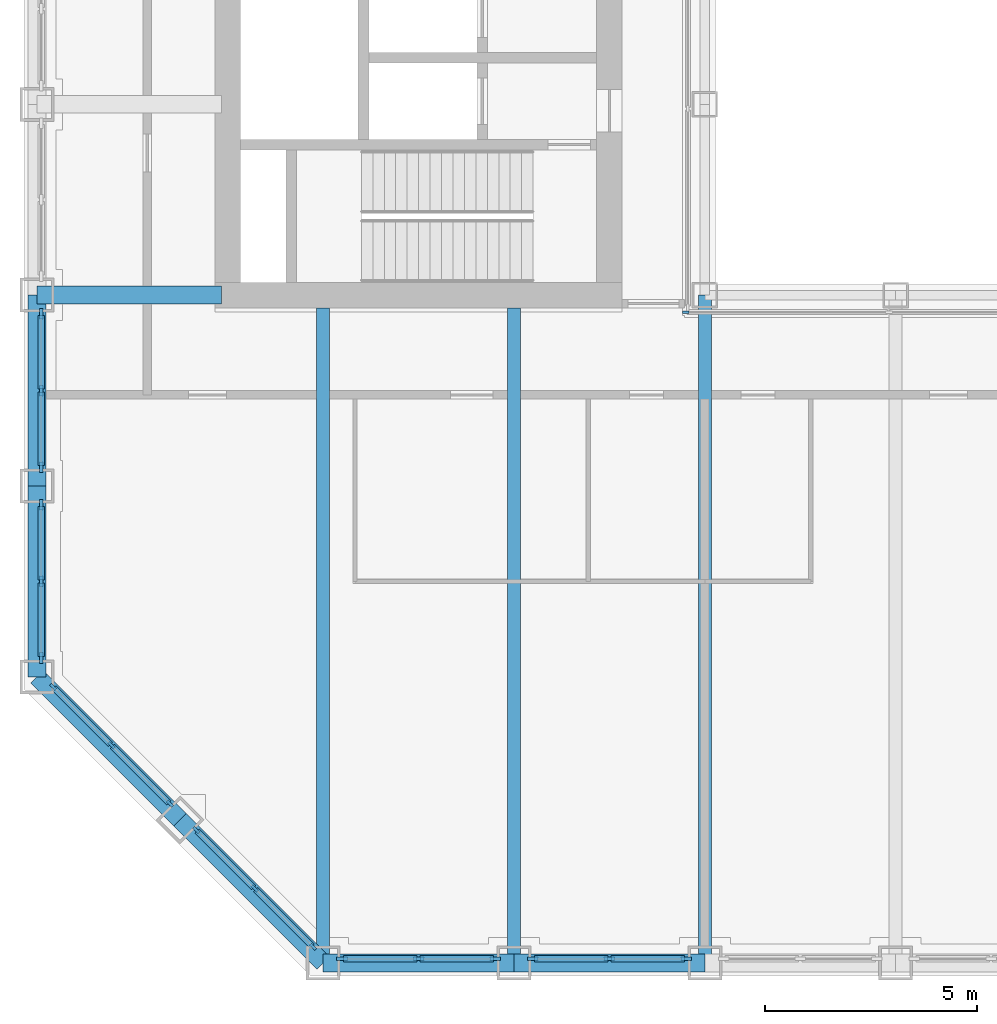
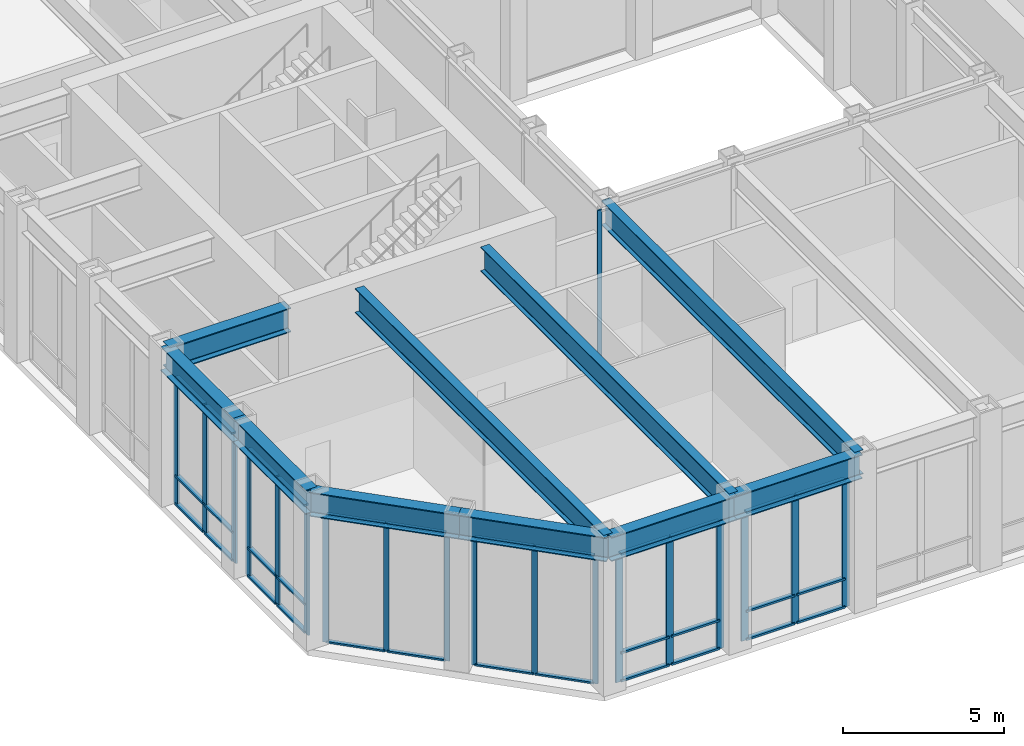
# One storey, part 2 of 22: 51 members, 10 beams, 7 elements without a shape of their own.
"""IFC4 building model written with IfcOpenShell, lengths in metres."""

from ifc_helpers import new_model, si_unit, direction, frame, origin, origin_2d, place, context, subcontext, project, spatial, rectangle, i_section, extrude, material, material_profile, profile_set, type_object, element, aggregate, save


model = new_model("IFC4")

# Units and contexts
model_context = context("Model", 3, precision=1e-05, world=origin(), true_north=direction((0.0, 1.0)))
body_context = subcontext(model_context, "Body", "Model", "MODEL_VIEW")
ifc_project = project(units=[si_unit("LENGTHUNIT", "METRE"), si_unit("AREAUNIT", "SQUARE_METRE"), si_unit("VOLUMEUNIT", "CUBIC_METRE"), si_unit("PLANEANGLEUNIT", "RADIAN"), si_unit("MASSUNIT", "GRAM", prefix="KILO")], contexts=[model_context])

# Site, building, storey
site_placement = place(None, origin())
site = spatial("IfcSite", under=ifc_project, at=site_placement, CompositionType="ELEMENT")
building_placement = place(site_placement, origin())
building = spatial("IfcBuilding", under=site, at=building_placement, Name="Msasa Ring Tower", CompositionType="ELEMENT")
storey_placement = place(building_placement, frame((0.0, 0.0, 112.39990234375)))
storey = spatial("IfcBuildingStorey", under=building, at=storey_placement, Name="L29", CompositionType="ELEMENT", Elevation=112.39990234375)

# Curtain wall, members
ifc_material_1 = material(Name="Aluminium curtain wall with clear glass", Category="aluminium")
curtain_wall_type_1 = type_object("IfcCurtainWallType", Name="CW-C CHAMFER CORNER CURTAIN WALL", PredefinedType="NOTDEFINED", material=ifc_material_1)
curtain_wall_1_placement = place(storey_placement, origin())
curtain_wall_1 = element("IfcCurtainWall", 1, at=curtain_wall_1_placement, inside=storey, type_object=curtain_wall_type_1, Name="Chamfer corner curtain wall SW L29", PredefinedType="NOTDEFINED")
ifc_material_2 = material(Name="Aluminium mullion", Category="aluminium")
ifc_material_profile_1 = material_profile(ifc_material_2, rectangle(XDim=0.06494140625, YDim=0.179931640625, at=origin_2d()), Name="AL 65x180")
ifc_profile_set_1 = profile_set([ifc_material_profile_1], Name="Aluminium mullion")
member_type_1 = type_object("IfcMemberType", Name="CW-C MULLION 65x180", PredefinedType="MULLION", material=ifc_profile_set_1)
member_1_placement = place(storey_placement, frame((-22.119873046875, -15.98876953125, 0.0), z_axis=(0.0, 0.0, 1.0), x_axis=(0.707106781187, 0.707106781187, 0.0)))
member_1 = element("IfcMember", 2, at=member_1_placement, type_object=member_type_1, Name="CW-C mullion 1", PredefinedType="MULLION", context=body_context, shape_type="SweptSolid", body=[
    extrude(rectangle(XDim=0.06494140625, YDim=0.179931640625, at=origin_2d()), origin(), (0.0, 0.0, 1.0), 4.879150390625),
])
member_2_placement = place(storey_placement, frame((-20.74169921875, -17.36669921875, 0.0), z_axis=(0.0, 0.0, 1.0), x_axis=(0.707106781187, 0.707106781187, 0.0)))
member_2 = element("IfcMember", 3, at=member_2_placement, type_object=member_type_1, Name="CW-C mullion 2", PredefinedType="MULLION", context=body_context, shape_type="SweptSolid", body=[
    extrude(rectangle(XDim=0.06494140625, YDim=0.179931640625, at=origin_2d()), origin(), (0.0, 0.0, 1.0), 4.879150390625),
])
member_3_placement = place(storey_placement, frame((-19.36376953125, -18.744873046875, 0.0), z_axis=(0.0, 0.0, 1.0), x_axis=(0.707106781187, 0.707106781187, 0.0)))
member_3 = element("IfcMember", 4, at=member_3_placement, type_object=member_type_1, Name="CW-C mullion 3", PredefinedType="MULLION", context=body_context, shape_type="SweptSolid", body=[
    extrude(rectangle(XDim=0.06494140625, YDim=0.179931640625, at=origin_2d()), origin(), (0.0, 0.0, 1.0), 4.879150390625),
])

curtain_wall_2_placement = place(storey_placement, origin())
curtain_wall_2 = element("IfcCurtainWall", 5, at=curtain_wall_2_placement, inside=storey, type_object=curtain_wall_type_1, Name="Chamfer corner curtain wall SW L29", PredefinedType="NOTDEFINED")
member_4_placement = place(storey_placement, frame((-18.744873046875, -19.36376953125, 0.0), z_axis=(0.0, 0.0, 1.0), x_axis=(0.707106781187, 0.707106781187, 0.0)))
member_4 = element("IfcMember", 6, at=member_4_placement, type_object=member_type_1, Name="CW-C mullion 1", PredefinedType="MULLION", context=body_context, shape_type="SweptSolid", body=[
    extrude(rectangle(XDim=0.06494140625, YDim=0.179931640625, at=origin_2d()), origin(), (0.0, 0.0, 1.0), 4.879150390625),
])
member_5_placement = place(storey_placement, frame((-17.36669921875, -20.74169921875, 0.0), z_axis=(0.0, 0.0, 1.0), x_axis=(0.707106781187, 0.707106781187, 0.0)))
member_5 = element("IfcMember", 7, at=member_5_placement, type_object=member_type_1, Name="CW-C mullion 2", PredefinedType="MULLION", context=body_context, shape_type="SweptSolid", body=[
    extrude(rectangle(XDim=0.06494140625, YDim=0.179931640625, at=origin_2d()), origin(), (0.0, 0.0, 1.0), 4.879150390625),
])
member_6_placement = place(storey_placement, frame((-15.98876953125, -22.119873046875, 0.0), z_axis=(0.0, 0.0, 1.0), x_axis=(0.707106781187, 0.707106781187, 0.0)))
member_6 = element("IfcMember", 8, at=member_6_placement, type_object=member_type_1, Name="CW-C mullion 3", PredefinedType="MULLION", context=body_context, shape_type="SweptSolid", body=[
    extrude(rectangle(XDim=0.06494140625, YDim=0.179931640625, at=origin_2d()), origin(), (0.0, 0.0, 1.0), 4.879150390625),
])

# Member
ifc_material_3 = material(Name="Aluminium transom", Category="aluminium")
ifc_material_profile_2 = material_profile(ifc_material_3, rectangle(XDim=0.139892578125, YDim=0.06494140625, at=origin_2d()), Name="AL 65x140")
ifc_profile_set_2 = profile_set([ifc_material_profile_2], Name="Aluminium transom")
member_type_2 = type_object("IfcMemberType", Name="CW-C TRANSOM 65x140", PredefinedType="USERDEFINED", material=ifc_profile_set_2)
member_7_placement = place(storey_placement, frame((-22.096923828125, -16.01171875, 0.03271484375), z_axis=(0.707106781187, -0.707106781187, 0.0), x_axis=(0.707106781187, 0.707106781187, 0.0)))
member_7 = element("IfcMember", 9, at=member_7_placement, type_object=member_type_2, Name="CW-C transom 1.1", ObjectType="TRANSOM", PredefinedType="USERDEFINED", context=body_context, shape_type="SweptSolid", body=[
    extrude(rectangle(XDim=0.139892578125, YDim=0.06494140625, at=origin_2d()), origin(), (0.0, 0.0, 1.0), 1.8837890625),
])

member_8_placement = place(storey_placement, frame((-22.096923828125, -16.01171875, 4.8466796875), z_axis=(0.707106781187, -0.707106781187, 0.0), x_axis=(0.707106781187, 0.707106781187, 0.0)))
member_8 = element("IfcMember", 10, at=member_8_placement, type_object=member_type_2, Name="CW-C transom 1.2", ObjectType="TRANSOM", PredefinedType="USERDEFINED", context=body_context, shape_type="SweptSolid", body=[
    extrude(rectangle(XDim=0.139892578125, YDim=0.06494140625, at=origin_2d()), origin(), (0.0, 0.0, 1.0), 1.8837890625),
])

member_9_placement = place(storey_placement, frame((-20.71875, -17.389892578125, 0.03271484375), z_axis=(0.707106781187, -0.707106781187, 0.0), x_axis=(0.707106781187, 0.707106781187, 0.0)))
member_9 = element("IfcMember", 11, at=member_9_placement, type_object=member_type_2, Name="CW-C transom 2.1", ObjectType="TRANSOM", PredefinedType="USERDEFINED", context=body_context, shape_type="SweptSolid", body=[
    extrude(rectangle(XDim=0.139892578125, YDim=0.06494140625, at=origin_2d()), origin(), (0.0, 0.0, 1.0), 1.8837890625),
])

member_10_placement = place(storey_placement, frame((-20.71875, -17.389892578125, 4.8466796875), z_axis=(0.707106781187, -0.707106781187, 0.0), x_axis=(0.707106781187, 0.707106781187, 0.0)))
member_10 = element("IfcMember", 12, at=member_10_placement, type_object=member_type_2, Name="CW-C transom 2.2", ObjectType="TRANSOM", PredefinedType="USERDEFINED", context=body_context, shape_type="SweptSolid", body=[
    extrude(rectangle(XDim=0.139892578125, YDim=0.06494140625, at=origin_2d()), origin(), (0.0, 0.0, 1.0), 1.8837890625),
])

aggregate(curtain_wall_1, [member_1, member_2, member_3, member_7, member_8, member_9, member_10])

member_11_placement = place(storey_placement, frame((-18.721923828125, -19.38671875, 0.03271484375), z_axis=(0.707106781187, -0.707106781187, 0.0), x_axis=(0.707106781187, 0.707106781187, 0.0)))
member_11 = element("IfcMember", 13, at=member_11_placement, type_object=member_type_2, Name="CW-C transom 1.1", ObjectType="TRANSOM", PredefinedType="USERDEFINED", context=body_context, shape_type="SweptSolid", body=[
    extrude(rectangle(XDim=0.139892578125, YDim=0.06494140625, at=origin_2d()), origin(), (0.0, 0.0, 1.0), 1.8837890625),
])

member_12_placement = place(storey_placement, frame((-18.721923828125, -19.38671875, 4.8466796875), z_axis=(0.707106781187, -0.707106781187, 0.0), x_axis=(0.707106781187, 0.707106781187, 0.0)))
member_12 = element("IfcMember", 14, at=member_12_placement, type_object=member_type_2, Name="CW-C transom 1.2", ObjectType="TRANSOM", PredefinedType="USERDEFINED", context=body_context, shape_type="SweptSolid", body=[
    extrude(rectangle(XDim=0.139892578125, YDim=0.06494140625, at=origin_2d()), origin(), (0.0, 0.0, 1.0), 1.8837890625),
])

member_13_placement = place(storey_placement, frame((-17.34375, -20.764892578125, 0.03271484375), z_axis=(0.707106781187, -0.707106781187, 0.0), x_axis=(0.707106781187, 0.707106781187, 0.0)))
member_13 = element("IfcMember", 15, at=member_13_placement, type_object=member_type_2, Name="CW-C transom 2.1", ObjectType="TRANSOM", PredefinedType="USERDEFINED", context=body_context, shape_type="SweptSolid", body=[
    extrude(rectangle(XDim=0.139892578125, YDim=0.06494140625, at=origin_2d()), origin(), (0.0, 0.0, 1.0), 1.8837890625),
])

member_14_placement = place(storey_placement, frame((-17.34375, -20.764892578125, 4.8466796875), z_axis=(0.707106781187, -0.707106781187, 0.0), x_axis=(0.707106781187, 0.707106781187, 0.0)))
member_14 = element("IfcMember", 16, at=member_14_placement, type_object=member_type_2, Name="CW-C transom 2.2", ObjectType="TRANSOM", PredefinedType="USERDEFINED", context=body_context, shape_type="SweptSolid", body=[
    extrude(rectangle(XDim=0.139892578125, YDim=0.06494140625, at=origin_2d()), origin(), (0.0, 0.0, 1.0), 1.8837890625),
])

aggregate(curtain_wall_2, [member_4, member_5, member_6, member_11, member_12, member_13, member_14])

# Curtain wall, members
ifc_material_4 = material(Name="Aluminium curtain wall with clear glass", Category="aluminium")
curtain_wall_type_2 = type_object("IfcCurtainWallType", Name="CW-S SKY LOBBY CURTAIN WALL", PredefinedType="NOTDEFINED", material=ifc_material_4)
curtain_wall_3_placement = place(storey_placement, origin())
curtain_wall_3 = element("IfcCurtainWall", 17, at=curtain_wall_3_placement, inside=storey, type_object=curtain_wall_type_2, Name="Sky lobby curtain wall S L29", PredefinedType="NOTDEFINED")
ifc_material_5 = material(Name="Aluminium mullion", Category="aluminium")
ifc_material_profile_3 = material_profile(ifc_material_5, rectangle(XDim=0.074951171875, YDim=0.25, at=origin_2d()), Name="AL 75x250")
ifc_profile_set_3 = profile_set([ifc_material_profile_3], Name="Aluminium mullion")
member_type_3 = type_object("IfcMemberType", Name="CW-S MULLION 75x250", PredefinedType="MULLION", material=ifc_profile_set_3)
member_15_placement = place(storey_placement, frame((-15.3076171875, -22.39990234375, 0.0), z_axis=(0.0, 0.0, 1.0), x_axis=(0.0, 1.0, 0.0)))
member_15 = element("IfcMember", 18, at=member_15_placement, type_object=member_type_3, Name="CW-S mullion 1", PredefinedType="MULLION", context=body_context, shape_type="SweptSolid", body=[
    extrude(rectangle(XDim=0.074951171875, YDim=0.25, at=origin_2d()), origin(), (0.0, 0.0, 1.0), 4.879150390625),
])
member_16_placement = place(storey_placement, frame((-13.5, -22.39990234375, 0.0), z_axis=(0.0, 0.0, 1.0), x_axis=(0.0, 1.0, 0.0)))
member_16 = element("IfcMember", 19, at=member_16_placement, type_object=member_type_3, Name="CW-S mullion 2", PredefinedType="MULLION", context=body_context, shape_type="SweptSolid", body=[
    extrude(rectangle(XDim=0.074951171875, YDim=0.25, at=origin_2d()), origin(), (0.0, 0.0, 1.0), 4.879150390625),
])
member_17_placement = place(storey_placement, frame((-11.6923828125, -22.39990234375, 0.0), z_axis=(0.0, 0.0, 1.0), x_axis=(0.0, 1.0, 0.0)))
member_17 = element("IfcMember", 20, at=member_17_placement, type_object=member_type_3, Name="CW-S mullion 3", PredefinedType="MULLION", context=body_context, shape_type="SweptSolid", body=[
    extrude(rectangle(XDim=0.074951171875, YDim=0.25, at=origin_2d()), origin(), (0.0, 0.0, 1.0), 4.879150390625),
])

curtain_wall_4_placement = place(storey_placement, origin())
curtain_wall_4 = element("IfcCurtainWall", 21, at=curtain_wall_4_placement, inside=storey, type_object=curtain_wall_type_2, Name="Sky lobby curtain wall S L29", PredefinedType="NOTDEFINED")
member_18_placement = place(storey_placement, frame((-10.8076171875, -22.39990234375, 0.0), z_axis=(0.0, 0.0, 1.0), x_axis=(0.0, 1.0, 0.0)))
member_18 = element("IfcMember", 22, at=member_18_placement, type_object=member_type_3, Name="CW-S mullion 1", PredefinedType="MULLION", context=body_context, shape_type="SweptSolid", body=[
    extrude(rectangle(XDim=0.074951171875, YDim=0.25, at=origin_2d()), origin(), (0.0, 0.0, 1.0), 4.879150390625),
])
member_19_placement = place(storey_placement, frame((-9.0, -22.39990234375, 0.0), z_axis=(0.0, 0.0, 1.0), x_axis=(0.0, 1.0, 0.0)))
member_19 = element("IfcMember", 23, at=member_19_placement, type_object=member_type_3, Name="CW-S mullion 2", PredefinedType="MULLION", context=body_context, shape_type="SweptSolid", body=[
    extrude(rectangle(XDim=0.074951171875, YDim=0.25, at=origin_2d()), origin(), (0.0, 0.0, 1.0), 4.879150390625),
])
member_20_placement = place(storey_placement, frame((-7.1923828125, -22.39990234375, 0.0), z_axis=(0.0, 0.0, 1.0), x_axis=(0.0, 1.0, 0.0)))
member_20 = element("IfcMember", 24, at=member_20_placement, type_object=member_type_3, Name="CW-S mullion 3", PredefinedType="MULLION", context=body_context, shape_type="SweptSolid", body=[
    extrude(rectangle(XDim=0.074951171875, YDim=0.25, at=origin_2d()), origin(), (0.0, 0.0, 1.0), 4.879150390625),
])

curtain_wall_5_placement = place(storey_placement, origin())
curtain_wall_5 = element("IfcCurtainWall", 25, at=curtain_wall_5_placement, inside=storey, type_object=curtain_wall_type_2, Name="Sky lobby curtain wall W L29", PredefinedType="NOTDEFINED")
member_21_placement = place(storey_placement, frame((-22.39990234375, -15.3076171875, 0.0), z_axis=(0.0, 0.0, 1.0), x_axis=(-1.0, 0.0, 0.0)))
member_21 = element("IfcMember", 26, at=member_21_placement, type_object=member_type_3, Name="CW-S mullion 1", PredefinedType="MULLION", context=body_context, shape_type="SweptSolid", body=[
    extrude(rectangle(XDim=0.074951171875, YDim=0.25, at=origin_2d()), origin(), (0.0, 0.0, 1.0), 4.879150390625),
])
member_22_placement = place(storey_placement, frame((-22.39990234375, -13.5, 0.0), z_axis=(0.0, 0.0, 1.0), x_axis=(-1.0, 0.0, 0.0)))
member_22 = element("IfcMember", 27, at=member_22_placement, type_object=member_type_3, Name="CW-S mullion 2", PredefinedType="MULLION", context=body_context, shape_type="SweptSolid", body=[
    extrude(rectangle(XDim=0.074951171875, YDim=0.25, at=origin_2d()), origin(), (0.0, 0.0, 1.0), 4.879150390625),
])
member_23_placement = place(storey_placement, frame((-22.39990234375, -11.6923828125, 0.0), z_axis=(0.0, 0.0, 1.0), x_axis=(-1.0, 0.0, 0.0)))
member_23 = element("IfcMember", 28, at=member_23_placement, type_object=member_type_3, Name="CW-S mullion 3", PredefinedType="MULLION", context=body_context, shape_type="SweptSolid", body=[
    extrude(rectangle(XDim=0.074951171875, YDim=0.25, at=origin_2d()), origin(), (0.0, 0.0, 1.0), 4.879150390625),
])

curtain_wall_6_placement = place(storey_placement, origin())
curtain_wall_6 = element("IfcCurtainWall", 29, at=curtain_wall_6_placement, inside=storey, type_object=curtain_wall_type_2, Name="Sky lobby curtain wall W L29", PredefinedType="NOTDEFINED")
member_24_placement = place(storey_placement, frame((-22.39990234375, -10.8076171875, 0.0), z_axis=(0.0, 0.0, 1.0), x_axis=(-1.0, 0.0, 0.0)))
member_24 = element("IfcMember", 30, at=member_24_placement, type_object=member_type_3, Name="CW-S mullion 1", PredefinedType="MULLION", context=body_context, shape_type="SweptSolid", body=[
    extrude(rectangle(XDim=0.074951171875, YDim=0.25, at=origin_2d()), origin(), (0.0, 0.0, 1.0), 4.879150390625),
])
member_25_placement = place(storey_placement, frame((-22.39990234375, -9.0, 0.0), z_axis=(0.0, 0.0, 1.0), x_axis=(-1.0, 0.0, 0.0)))
member_25 = element("IfcMember", 31, at=member_25_placement, type_object=member_type_3, Name="CW-S mullion 2", PredefinedType="MULLION", context=body_context, shape_type="SweptSolid", body=[
    extrude(rectangle(XDim=0.074951171875, YDim=0.25, at=origin_2d()), origin(), (0.0, 0.0, 1.0), 4.879150390625),
])
member_26_placement = place(storey_placement, frame((-22.39990234375, -7.1923828125, 0.0), z_axis=(0.0, 0.0, 1.0), x_axis=(-1.0, 0.0, 0.0)))
member_26 = element("IfcMember", 32, at=member_26_placement, type_object=member_type_3, Name="CW-S mullion 3", PredefinedType="MULLION", context=body_context, shape_type="SweptSolid", body=[
    extrude(rectangle(XDim=0.074951171875, YDim=0.25, at=origin_2d()), origin(), (0.0, 0.0, 1.0), 4.879150390625),
])

# Member
ifc_material_6 = material(Name="Aluminium transom", Category="aluminium")
ifc_material_profile_4 = material_profile(ifc_material_6, rectangle(XDim=0.159912109375, YDim=0.074951171875, at=origin_2d()), Name="AL 75x160")
ifc_profile_set_4 = profile_set([ifc_material_profile_4], Name="Aluminium transom")
member_type_4 = type_object("IfcMemberType", Name="CW-S TRANSOM 75x160", PredefinedType="USERDEFINED", material=ifc_profile_set_4)
member_27_placement = place(storey_placement, frame((-15.27001953125, -22.39990234375, 0.03759765625), z_axis=(1.0, 0.0, 0.0), x_axis=(0.0, 1.0, 0.0)))
member_27 = element("IfcMember", 33, at=member_27_placement, type_object=member_type_4, Name="CW-S transom 1.1", ObjectType="TRANSOM", PredefinedType="USERDEFINED", context=body_context, shape_type="SweptSolid", body=[
    extrude(rectangle(XDim=0.159912109375, YDim=0.074951171875, at=origin_2d()), origin(), (0.0, 0.0, 1.0), 1.732421875),
])

member_28_placement = place(storey_placement, frame((-15.27001953125, -22.39990234375, 1.10009765625), z_axis=(1.0, 0.0, 0.0), x_axis=(0.0, 1.0, 0.0)))
member_28 = element("IfcMember", 34, at=member_28_placement, type_object=member_type_4, Name="CW-S transom 1.2", ObjectType="TRANSOM", PredefinedType="USERDEFINED", context=body_context, shape_type="SweptSolid", body=[
    extrude(rectangle(XDim=0.159912109375, YDim=0.074951171875, at=origin_2d()), origin(), (0.0, 0.0, 1.0), 1.732421875),
])

member_29_placement = place(storey_placement, frame((-15.27001953125, -22.39990234375, 4.841552734375), z_axis=(1.0, 0.0, 0.0), x_axis=(0.0, 1.0, 0.0)))
member_29 = element("IfcMember", 35, at=member_29_placement, type_object=member_type_4, Name="CW-S transom 1.3", ObjectType="TRANSOM", PredefinedType="USERDEFINED", context=body_context, shape_type="SweptSolid", body=[
    extrude(rectangle(XDim=0.159912109375, YDim=0.074951171875, at=origin_2d()), origin(), (0.0, 0.0, 1.0), 1.732421875),
])

member_30_placement = place(storey_placement, frame((-13.46240234375, -22.39990234375, 0.03759765625), z_axis=(1.0, 0.0, 0.0), x_axis=(0.0, 1.0, 0.0)))
member_30 = element("IfcMember", 36, at=member_30_placement, type_object=member_type_4, Name="CW-S transom 2.1", ObjectType="TRANSOM", PredefinedType="USERDEFINED", context=body_context, shape_type="SweptSolid", body=[
    extrude(rectangle(XDim=0.159912109375, YDim=0.074951171875, at=origin_2d()), origin(), (0.0, 0.0, 1.0), 1.732421875),
])

member_31_placement = place(storey_placement, frame((-13.46240234375, -22.39990234375, 1.10009765625), z_axis=(1.0, 0.0, 0.0), x_axis=(0.0, 1.0, 0.0)))
member_31 = element("IfcMember", 37, at=member_31_placement, type_object=member_type_4, Name="CW-S transom 2.2", ObjectType="TRANSOM", PredefinedType="USERDEFINED", context=body_context, shape_type="SweptSolid", body=[
    extrude(rectangle(XDim=0.159912109375, YDim=0.074951171875, at=origin_2d()), origin(), (0.0, 0.0, 1.0), 1.732421875),
])

member_32_placement = place(storey_placement, frame((-13.46240234375, -22.39990234375, 4.841552734375), z_axis=(1.0, 0.0, 0.0), x_axis=(0.0, 1.0, 0.0)))
member_32 = element("IfcMember", 38, at=member_32_placement, type_object=member_type_4, Name="CW-S transom 2.3", ObjectType="TRANSOM", PredefinedType="USERDEFINED", context=body_context, shape_type="SweptSolid", body=[
    extrude(rectangle(XDim=0.159912109375, YDim=0.074951171875, at=origin_2d()), origin(), (0.0, 0.0, 1.0), 1.732421875),
])

aggregate(curtain_wall_3, [member_15, member_16, member_17, member_27, member_28, member_29, member_30, member_31, member_32])

member_33_placement = place(storey_placement, frame((-10.77001953125, -22.39990234375, 0.03759765625), z_axis=(1.0, 0.0, 0.0), x_axis=(0.0, 1.0, 0.0)))
member_33 = element("IfcMember", 39, at=member_33_placement, type_object=member_type_4, Name="CW-S transom 1.1", ObjectType="TRANSOM", PredefinedType="USERDEFINED", context=body_context, shape_type="SweptSolid", body=[
    extrude(rectangle(XDim=0.159912109375, YDim=0.074951171875, at=origin_2d()), origin(), (0.0, 0.0, 1.0), 1.732421875),
])

member_34_placement = place(storey_placement, frame((-10.77001953125, -22.39990234375, 1.10009765625), z_axis=(1.0, 0.0, 0.0), x_axis=(0.0, 1.0, 0.0)))
member_34 = element("IfcMember", 40, at=member_34_placement, type_object=member_type_4, Name="CW-S transom 1.2", ObjectType="TRANSOM", PredefinedType="USERDEFINED", context=body_context, shape_type="SweptSolid", body=[
    extrude(rectangle(XDim=0.159912109375, YDim=0.074951171875, at=origin_2d()), origin(), (0.0, 0.0, 1.0), 1.732421875),
])

member_35_placement = place(storey_placement, frame((-10.77001953125, -22.39990234375, 4.841552734375), z_axis=(1.0, 0.0, 0.0), x_axis=(0.0, 1.0, 0.0)))
member_35 = element("IfcMember", 41, at=member_35_placement, type_object=member_type_4, Name="CW-S transom 1.3", ObjectType="TRANSOM", PredefinedType="USERDEFINED", context=body_context, shape_type="SweptSolid", body=[
    extrude(rectangle(XDim=0.159912109375, YDim=0.074951171875, at=origin_2d()), origin(), (0.0, 0.0, 1.0), 1.732421875),
])

member_36_placement = place(storey_placement, frame((-8.96240234375, -22.39990234375, 0.03759765625), z_axis=(1.0, 0.0, 0.0), x_axis=(0.0, 1.0, 0.0)))
member_36 = element("IfcMember", 42, at=member_36_placement, type_object=member_type_4, Name="CW-S transom 2.1", ObjectType="TRANSOM", PredefinedType="USERDEFINED", context=body_context, shape_type="SweptSolid", body=[
    extrude(rectangle(XDim=0.159912109375, YDim=0.074951171875, at=origin_2d()), origin(), (0.0, 0.0, 1.0), 1.732421875),
])

member_37_placement = place(storey_placement, frame((-8.96240234375, -22.39990234375, 1.10009765625), z_axis=(1.0, 0.0, 0.0), x_axis=(0.0, 1.0, 0.0)))
member_37 = element("IfcMember", 43, at=member_37_placement, type_object=member_type_4, Name="CW-S transom 2.2", ObjectType="TRANSOM", PredefinedType="USERDEFINED", context=body_context, shape_type="SweptSolid", body=[
    extrude(rectangle(XDim=0.159912109375, YDim=0.074951171875, at=origin_2d()), origin(), (0.0, 0.0, 1.0), 1.732421875),
])

member_38_placement = place(storey_placement, frame((-8.96240234375, -22.39990234375, 4.841552734375), z_axis=(1.0, 0.0, 0.0), x_axis=(0.0, 1.0, 0.0)))
member_38 = element("IfcMember", 44, at=member_38_placement, type_object=member_type_4, Name="CW-S transom 2.3", ObjectType="TRANSOM", PredefinedType="USERDEFINED", context=body_context, shape_type="SweptSolid", body=[
    extrude(rectangle(XDim=0.159912109375, YDim=0.074951171875, at=origin_2d()), origin(), (0.0, 0.0, 1.0), 1.732421875),
])

aggregate(curtain_wall_4, [member_18, member_19, member_20, member_33, member_34, member_35, member_36, member_37, member_38])

member_39_placement = place(storey_placement, frame((-22.39990234375, -15.27001953125, 0.03759765625), z_axis=(0.0, 1.0, 0.0), x_axis=(-1.0, 0.0, 0.0)))
member_39 = element("IfcMember", 45, at=member_39_placement, type_object=member_type_4, Name="CW-S transom 1.1", ObjectType="TRANSOM", PredefinedType="USERDEFINED", context=body_context, shape_type="SweptSolid", body=[
    extrude(rectangle(XDim=0.159912109375, YDim=0.074951171875, at=origin_2d()), origin(), (0.0, 0.0, 1.0), 1.732421875),
])

member_40_placement = place(storey_placement, frame((-22.39990234375, -15.27001953125, 1.10009765625), z_axis=(0.0, 1.0, 0.0), x_axis=(-1.0, 0.0, 0.0)))
member_40 = element("IfcMember", 46, at=member_40_placement, type_object=member_type_4, Name="CW-S transom 1.2", ObjectType="TRANSOM", PredefinedType="USERDEFINED", context=body_context, shape_type="SweptSolid", body=[
    extrude(rectangle(XDim=0.159912109375, YDim=0.074951171875, at=origin_2d()), origin(), (0.0, 0.0, 1.0), 1.732421875),
])

member_41_placement = place(storey_placement, frame((-22.39990234375, -15.27001953125, 4.841552734375), z_axis=(0.0, 1.0, 0.0), x_axis=(-1.0, 0.0, 0.0)))
member_41 = element("IfcMember", 47, at=member_41_placement, type_object=member_type_4, Name="CW-S transom 1.3", ObjectType="TRANSOM", PredefinedType="USERDEFINED", context=body_context, shape_type="SweptSolid", body=[
    extrude(rectangle(XDim=0.159912109375, YDim=0.074951171875, at=origin_2d()), origin(), (0.0, 0.0, 1.0), 1.732421875),
])

member_42_placement = place(storey_placement, frame((-22.39990234375, -13.46240234375, 0.03759765625), z_axis=(0.0, 1.0, 0.0), x_axis=(-1.0, 0.0, 0.0)))
member_42 = element("IfcMember", 48, at=member_42_placement, type_object=member_type_4, Name="CW-S transom 2.1", ObjectType="TRANSOM", PredefinedType="USERDEFINED", context=body_context, shape_type="SweptSolid", body=[
    extrude(rectangle(XDim=0.159912109375, YDim=0.074951171875, at=origin_2d()), origin(), (0.0, 0.0, 1.0), 1.732421875),
])

member_43_placement = place(storey_placement, frame((-22.39990234375, -13.46240234375, 1.10009765625), z_axis=(0.0, 1.0, 0.0), x_axis=(-1.0, 0.0, 0.0)))
member_43 = element("IfcMember", 49, at=member_43_placement, type_object=member_type_4, Name="CW-S transom 2.2", ObjectType="TRANSOM", PredefinedType="USERDEFINED", context=body_context, shape_type="SweptSolid", body=[
    extrude(rectangle(XDim=0.159912109375, YDim=0.074951171875, at=origin_2d()), origin(), (0.0, 0.0, 1.0), 1.732421875),
])

member_44_placement = place(storey_placement, frame((-22.39990234375, -13.46240234375, 4.841552734375), z_axis=(0.0, 1.0, 0.0), x_axis=(-1.0, 0.0, 0.0)))
member_44 = element("IfcMember", 50, at=member_44_placement, type_object=member_type_4, Name="CW-S transom 2.3", ObjectType="TRANSOM", PredefinedType="USERDEFINED", context=body_context, shape_type="SweptSolid", body=[
    extrude(rectangle(XDim=0.159912109375, YDim=0.074951171875, at=origin_2d()), origin(), (0.0, 0.0, 1.0), 1.732421875),
])

aggregate(curtain_wall_5, [member_21, member_22, member_23, member_39, member_40, member_41, member_42, member_43, member_44])

member_45_placement = place(storey_placement, frame((-22.39990234375, -10.77001953125, 0.03759765625), z_axis=(0.0, 1.0, 0.0), x_axis=(-1.0, 0.0, 0.0)))
member_45 = element("IfcMember", 51, at=member_45_placement, type_object=member_type_4, Name="CW-S transom 1.1", ObjectType="TRANSOM", PredefinedType="USERDEFINED", context=body_context, shape_type="SweptSolid", body=[
    extrude(rectangle(XDim=0.159912109375, YDim=0.074951171875, at=origin_2d()), origin(), (0.0, 0.0, 1.0), 1.732421875),
])

member_46_placement = place(storey_placement, frame((-22.39990234375, -10.77001953125, 1.10009765625), z_axis=(0.0, 1.0, 0.0), x_axis=(-1.0, 0.0, 0.0)))
member_46 = element("IfcMember", 52, at=member_46_placement, type_object=member_type_4, Name="CW-S transom 1.2", ObjectType="TRANSOM", PredefinedType="USERDEFINED", context=body_context, shape_type="SweptSolid", body=[
    extrude(rectangle(XDim=0.159912109375, YDim=0.074951171875, at=origin_2d()), origin(), (0.0, 0.0, 1.0), 1.732421875),
])

member_47_placement = place(storey_placement, frame((-22.39990234375, -10.77001953125, 4.841552734375), z_axis=(0.0, 1.0, 0.0), x_axis=(-1.0, 0.0, 0.0)))
member_47 = element("IfcMember", 53, at=member_47_placement, type_object=member_type_4, Name="CW-S transom 1.3", ObjectType="TRANSOM", PredefinedType="USERDEFINED", context=body_context, shape_type="SweptSolid", body=[
    extrude(rectangle(XDim=0.159912109375, YDim=0.074951171875, at=origin_2d()), origin(), (0.0, 0.0, 1.0), 1.732421875),
])

member_48_placement = place(storey_placement, frame((-22.39990234375, -8.96240234375, 0.03759765625), z_axis=(0.0, 1.0, 0.0), x_axis=(-1.0, 0.0, 0.0)))
member_48 = element("IfcMember", 54, at=member_48_placement, type_object=member_type_4, Name="CW-S transom 2.1", ObjectType="TRANSOM", PredefinedType="USERDEFINED", context=body_context, shape_type="SweptSolid", body=[
    extrude(rectangle(XDim=0.159912109375, YDim=0.074951171875, at=origin_2d()), origin(), (0.0, 0.0, 1.0), 1.732421875),
])

member_49_placement = place(storey_placement, frame((-22.39990234375, -8.96240234375, 1.10009765625), z_axis=(0.0, 1.0, 0.0), x_axis=(-1.0, 0.0, 0.0)))
member_49 = element("IfcMember", 55, at=member_49_placement, type_object=member_type_4, Name="CW-S transom 2.2", ObjectType="TRANSOM", PredefinedType="USERDEFINED", context=body_context, shape_type="SweptSolid", body=[
    extrude(rectangle(XDim=0.159912109375, YDim=0.074951171875, at=origin_2d()), origin(), (0.0, 0.0, 1.0), 1.732421875),
])

member_50_placement = place(storey_placement, frame((-22.39990234375, -8.96240234375, 4.841552734375), z_axis=(0.0, 1.0, 0.0), x_axis=(-1.0, 0.0, 0.0)))
member_50 = element("IfcMember", 56, at=member_50_placement, type_object=member_type_4, Name="CW-S transom 2.3", ObjectType="TRANSOM", PredefinedType="USERDEFINED", context=body_context, shape_type="SweptSolid", body=[
    extrude(rectangle(XDim=0.159912109375, YDim=0.074951171875, at=origin_2d()), origin(), (0.0, 0.0, 1.0), 1.732421875),
])

aggregate(curtain_wall_6, [member_24, member_25, member_26, member_45, member_46, member_47, member_48, member_49, member_50])

# Curtain wall, member
ifc_material_7 = material(Name="Aluminium curtain wall with clear glass", Category="aluminium")
curtain_wall_type_3 = type_object("IfcCurtainWallType", Name="CW-W LIGHT WELL CURTAIN WALL", PredefinedType="NOTDEFINED", material=ifc_material_7)
curtain_wall_7_placement = place(storey_placement, origin())
curtain_wall_7 = element("IfcCurtainWall", 57, at=curtain_wall_7_placement, inside=storey, type_object=curtain_wall_type_3, Name="Light well curtain wall S L29", PredefinedType="NOTDEFINED")
ifc_material_8 = material(Name="Aluminium mullion", Category="aluminium")
ifc_material_profile_5 = material_profile(ifc_material_8, rectangle(XDim=0.06005859375, YDim=0.159912109375, at=origin_2d()), Name="AL 60x160")
ifc_profile_set_5 = profile_set([ifc_material_profile_5], Name="Aluminium mullion")
member_type_5 = type_object("IfcMemberType", Name="CW-W MULLION 60x160", PredefinedType="MULLION", material=ifc_profile_set_5)
member_51_placement = place(storey_placement, frame((-7.199951171875, -7.14990234375, 0.0), z_axis=(0.0, 0.0, 1.0), x_axis=(0.0, 1.0, 0.0)))
member_51 = element("IfcMember", 58, at=member_51_placement, type_object=member_type_5, Name="CW-W mullion 1", PredefinedType="MULLION", context=body_context, shape_type="SweptSolid", body=[
    extrude(rectangle(XDim=0.06005859375, YDim=0.159912109375, at=origin_2d()), origin(), (0.0, 0.0, 1.0), 5.800048828125),
])
aggregate(curtain_wall_7, [member_51])

# Beams
ifc_material_9 = material(Name="Steel S355", Category="steel")
ifc_material_profile_6 = material_profile(ifc_material_9, i_section(OverallWidth=0.3076171875, OverallDepth=0.926513671875, WebThickness=0.01953125, FlangeThickness=0.031982421875, FilletRadius=0.01904296875, at=origin_2d()), Name="UB 914x305x289")
ifc_profile_set_6 = profile_set([ifc_material_profile_6], Name="Steel S355")
beam_type_1 = type_object("IfcBeamType", Name="FB3 UB 914x305x289", PredefinedType="BEAM", material=ifc_profile_set_6)
for number, where, z_axis, x_axis, name in (
    (59, (-15.75, -22.5, 5.3369140625), (0.0, 1.0, 0.0), (-1.0, 0.0, 0.0), "Floor beam S-15.75 under L30"),
    (60, (-11.25, -22.5, 5.3369140625), (0.0, 1.0, 0.0), (-1.0, 0.0, 0.0), "Floor beam S-11.25 under L30"),
):
    element("IfcBeam", number, at=place(storey_placement, frame(where, z_axis=z_axis, x_axis=x_axis)), inside=storey, type_object=beam_type_1, Name=name, PredefinedType="BEAM", context=body_context, shape_type="SweptSolid", body=[
        extrude(i_section(OverallWidth=0.3076171875, OverallDepth=0.926513671875, WebThickness=0.01953125, FlangeThickness=0.031982421875, FilletRadius=0.01904296875, at=origin_2d()), origin(), (0.0, 0.0, 1.0), 15.449951171875),
    ])
beam_1_placement = place(storey_placement, frame((-6.75, -22.5, 5.3369140625), z_axis=(0.0, 1.0, 0.0), x_axis=(-1.0, 0.0, 0.0)))
element("IfcBeam", 61, at=beam_1_placement, inside=storey, type_object=beam_type_1, Name="Floor beam S-6.75 under L30", PredefinedType="BEAM", context=body_context, shape_type="SweptSolid", body=[
    extrude(i_section(OverallWidth=0.3076171875, OverallDepth=0.926513671875, WebThickness=0.01953125, FlangeThickness=0.031982421875, FilletRadius=0.01904296875, at=origin_2d()), origin(), (0.0, 0.0, 1.0), 15.75),
])
ifc_material_10 = material(Name="Steel S355", Category="steel")
ifc_material_profile_7 = material_profile(ifc_material_10, i_section(OverallWidth=0.42041015625, OverallDepth=0.9208984375, WebThickness=0.021484375, FlangeThickness=0.03662109375, FilletRadius=0.024169921875, at=origin_2d()), Name="UB 914x419x388")
ifc_profile_set_7 = profile_set([ifc_material_profile_7], Name="Steel S355")
beam_type_2 = type_object("IfcBeamType", Name="GB1 UB 914x419x388", PredefinedType="BEAM", material=ifc_profile_set_7)
beam_2_placement = place(storey_placement, frame((-18.14990234375, -6.75, 5.339599609375), z_axis=(-1.0, 0.0, 0.0), x_axis=(0.0, -1.0, 0.0)))
element("IfcBeam", 62, at=beam_2_placement, inside=storey, type_object=beam_type_2, Name="Girder W -6.75 under L30", PredefinedType="BEAM", context=body_context, shape_type="SweptSolid", body=[
    extrude(i_section(OverallWidth=0.42041015625, OverallDepth=0.9208984375, WebThickness=0.021484375, FlangeThickness=0.03662109375, FilletRadius=0.024169921875, at=origin_2d()), origin(), (0.0, 0.0, 1.0), 4.35009765625),
])
ifc_material_11 = material(Name="Steel S355", Category="steel")
ifc_material_profile_8 = material_profile(ifc_material_11, i_section(OverallWidth=0.42041015625, OverallDepth=0.9208984375, WebThickness=0.021484375, FlangeThickness=0.03662109375, FilletRadius=0.024169921875, at=origin_2d()), Name="UB 914x419x388")
ifc_profile_set_8 = profile_set([ifc_material_profile_8], Name="Steel S355")
beam_type_3 = type_object("IfcBeamType", Name="SB1 UB 914x419x388", PredefinedType="SPANDREL", material=ifc_profile_set_8)
for number, where, z_axis, x_axis, name in (
    (63, (-22.5, -6.75, 5.339599609375), (0.0, -1.0, 0.0), (1.0, 0.0, 0.0), "Spandrel W-6.75 to W-11.25 under L30"),
    (64, (-22.5, -11.25, 5.339599609375), (0.0, -1.0, 0.0), (1.0, 0.0, 0.0), "Spandrel W-11.25 to W-15.75 under L30"),
):
    element("IfcBeam", number, at=place(storey_placement, frame(where, z_axis=z_axis, x_axis=x_axis)), inside=storey, type_object=beam_type_3, Name=name, PredefinedType="SPANDREL", context=body_context, shape_type="SweptSolid", body=[
        extrude(i_section(OverallWidth=0.42041015625, OverallDepth=0.9208984375, WebThickness=0.021484375, FlangeThickness=0.03662109375, FilletRadius=0.024169921875, at=origin_2d()), origin(), (0.0, 0.0, 1.0), 4.5),
    ])
for number, where, z_axis, x_axis, name in (
    (65, (-22.5, -15.75, 5.339599609375), (0.707106781187, -0.707106781187, 0.0), (0.707106781187, 0.707106781187, 0.0), "Spandrel W-15.75 to SW under L30"),
    (66, (-19.125, -19.125, 5.339599609375), (0.707106781187, -0.707106781187, 0.0), (0.707106781187, 0.707106781187, 0.0), "Spandrel SW to S-15.75 under L30"),
):
    element("IfcBeam", number, at=place(storey_placement, frame(where, z_axis=z_axis, x_axis=x_axis)), inside=storey, type_object=beam_type_3, Name=name, PredefinedType="SPANDREL", context=body_context, shape_type="SweptSolid", body=[
        extrude(i_section(OverallWidth=0.42041015625, OverallDepth=0.9208984375, WebThickness=0.021484375, FlangeThickness=0.03662109375, FilletRadius=0.024169921875, at=origin_2d()), origin(), (0.0, 0.0, 1.0), 4.77294921875),
    ])
for number, where, z_axis, x_axis, name in (
    (67, (-15.75, -22.5, 5.339599609375), (1.0, 0.0, 0.0), (0.0, 1.0, 0.0), "Spandrel S-15.75 to S-11.25 under L30"),
    (68, (-11.25, -22.5, 5.339599609375), (1.0, 0.0, 0.0), (0.0, 1.0, 0.0), "Spandrel S-11.25 to S-6.75 under L30"),
):
    element("IfcBeam", number, at=place(storey_placement, frame(where, z_axis=z_axis, x_axis=x_axis)), inside=storey, type_object=beam_type_3, Name=name, PredefinedType="SPANDREL", context=body_context, shape_type="SweptSolid", body=[
        extrude(i_section(OverallWidth=0.42041015625, OverallDepth=0.9208984375, WebThickness=0.021484375, FlangeThickness=0.03662109375, FilletRadius=0.024169921875, at=origin_2d()), origin(), (0.0, 0.0, 1.0), 4.5),
    ])

save(model, "model.ifc")
